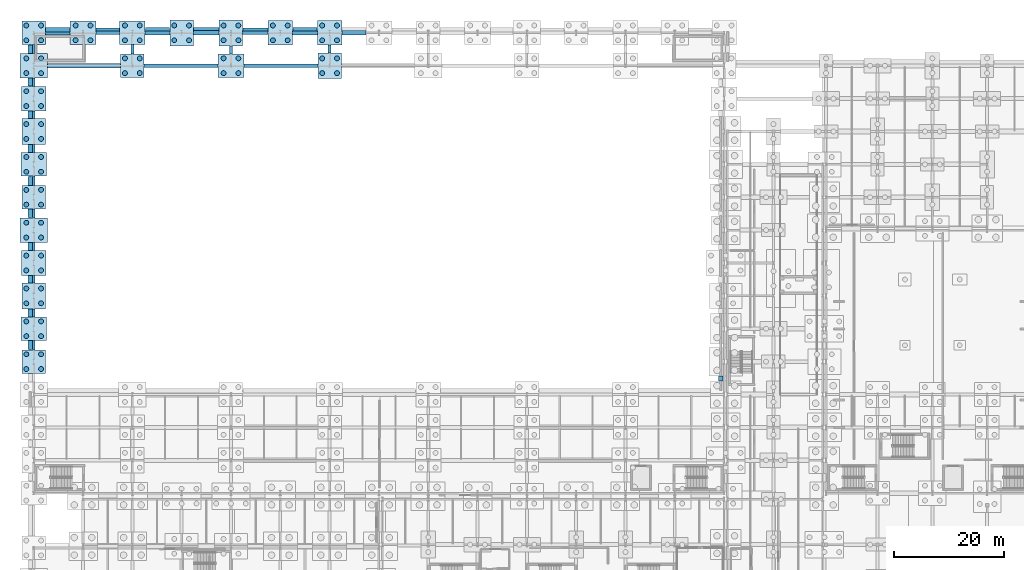
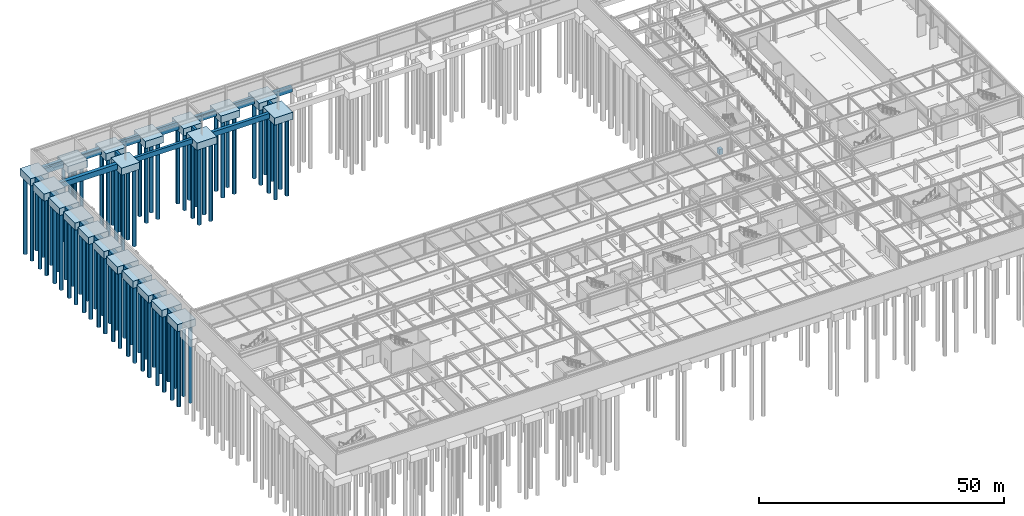
# One storey, part 6 of 65: 80 piles, 60 footings.
"""IFC4 building model written with IfcOpenShell, lengths in metres."""

from ifc_helpers import new_model, si_unit, direction, frame, origin, origin_2d, place, context, subcontext, project, spatial, rectangle, circle, extrude, material, material_profile, profile_set, type_object, element, save


model = new_model("IFC4")

# Units and contexts
model_context = context("Model", 3, precision=1e-05, world=origin(), true_north=direction((0.0, 1.0)))
body_context = subcontext(model_context, "Body", "Model", "MODEL_VIEW")
ifc_project = project(units=[si_unit("LENGTHUNIT", "METRE"), si_unit("AREAUNIT", "SQUARE_METRE"), si_unit("VOLUMEUNIT", "CUBIC_METRE"), si_unit("PLANEANGLEUNIT", "RADIAN"), si_unit("MASSUNIT", "GRAM", prefix="KILO")], contexts=[model_context])

# Site, building, storey
site_placement = place(None, origin())
site = spatial("IfcSite", under=ifc_project, at=site_placement, CompositionType="ELEMENT")
building_placement = place(site_placement, origin())
building = spatial("IfcBuilding", under=site, at=building_placement, Name="Kaldris Quays Convention Centre", CompositionType="ELEMENT")
storey_placement = place(building_placement, frame((0.0, 0.0, -5.39990234375)))
storey = spatial("IfcBuildingStorey", under=building, at=storey_placement, Name="B1", CompositionType="ELEMENT", Elevation=-5.39990234375)

# Piles
ifc_material = material(Name="Concrete C35/45", Category="concrete")
ifc_material_profile = material_profile(ifc_material, circle(Radius=0.449951171875, at=origin_2d()), Name="BORED PILE D900")
ifc_profile_set = profile_set([ifc_material_profile], Name="Concrete C35/45")
pile_type = type_object("IfcPileType", Name="BORED PILE P01", PredefinedType="BORED", material=ifc_profile_set)
for number, where, z_axis, x_axis, name in (
    (1, (18.64990234375, 78.64990234375, -1.7001953125), (0.0, 0.0, -1.0), (1.0, 0.0, 0.0), "Bored Pile P01 41"),
    (2, (21.35009765625, 78.64990234375, -1.7001953125), (0.0, 0.0, -1.0), (1.0, 0.0, 0.0), "Bored Pile P01 42"),
    (3, (18.64990234375, 81.35009765625, -1.7001953125), (0.0, 0.0, -1.0), (1.0, 0.0, 0.0), "Bored Pile P01 43"),
    (4, (21.35009765625, 81.35009765625, -1.7001953125), (0.0, 0.0, -1.0), (1.0, 0.0, 0.0), "Bored Pile P01 44"),
    (5, (18.64990234375, 84.64990234375, -1.7001953125), (0.0, 0.0, -1.0), (1.0, 0.0, 0.0), "Bored Pile P01 45"),
    (6, (21.35009765625, 84.64990234375, -1.7001953125), (0.0, 0.0, -1.0), (1.0, 0.0, 0.0), "Bored Pile P01 46"),
    (7, (18.64990234375, 87.35009765625, -1.7001953125), (0.0, 0.0, -1.0), (1.0, 0.0, 0.0), "Bored Pile P01 47"),
    (8, (21.35009765625, 87.35009765625, -1.7001953125), (0.0, 0.0, -1.0), (1.0, 0.0, 0.0), "Bored Pile P01 48"),
    (9, (18.64990234375, 90.64990234375, -1.7001953125), (0.0, 0.0, -1.0), (1.0, 0.0, 0.0), "Bored Pile P01 49"),
    (10, (21.35009765625, 90.64990234375, -1.7001953125), (0.0, 0.0, -1.0), (1.0, 0.0, 0.0), "Bored Pile P01 50"),
    (11, (18.64990234375, 93.35009765625, -1.7001953125), (0.0, 0.0, -1.0), (1.0, 0.0, 0.0), "Bored Pile P01 51"),
    (12, (21.35009765625, 93.35009765625, -1.7001953125), (0.0, 0.0, -1.0), (1.0, 0.0, 0.0), "Bored Pile P01 52"),
    (13, (18.64990234375, 96.64990234375, -1.7001953125), (0.0, 0.0, -1.0), (1.0, 0.0, 0.0), "Bored Pile P01 53"),
    (14, (21.35009765625, 96.64990234375, -1.7001953125), (0.0, 0.0, -1.0), (1.0, 0.0, 0.0), "Bored Pile P01 54"),
    (15, (18.64990234375, 99.35009765625, -1.7001953125), (0.0, 0.0, -1.0), (1.0, 0.0, 0.0), "Bored Pile P01 55"),
    (16, (21.35009765625, 99.35009765625, -1.7001953125), (0.0, 0.0, -1.0), (1.0, 0.0, 0.0), "Bored Pile P01 56"),
    (17, (18.64990234375, 102.64990234375, -1.7001953125), (0.0, 0.0, -1.0), (1.0, 0.0, 0.0), "Bored Pile P01 57"),
    (18, (21.35009765625, 102.64990234375, -1.7001953125), (0.0, 0.0, -1.0), (1.0, 0.0, 0.0), "Bored Pile P01 58"),
    (19, (18.64990234375, 105.35009765625, -1.7001953125), (0.0, 0.0, -1.0), (1.0, 0.0, 0.0), "Bored Pile P01 59"),
    (20, (21.35009765625, 105.35009765625, -1.7001953125), (0.0, 0.0, -1.0), (1.0, 0.0, 0.0), "Bored Pile P01 60"),
    (21, (18.64990234375, 108.64990234375, -1.7001953125), (0.0, 0.0, -1.0), (1.0, 0.0, 0.0), "Bored Pile P01 61"),
    (22, (21.35009765625, 108.64990234375, -1.7001953125), (0.0, 0.0, -1.0), (1.0, 0.0, 0.0), "Bored Pile P01 62"),
    (23, (18.64990234375, 111.35009765625, -1.7001953125), (0.0, 0.0, -1.0), (1.0, 0.0, 0.0), "Bored Pile P01 63"),
    (24, (21.35009765625, 111.35009765625, -1.7001953125), (0.0, 0.0, -1.0), (1.0, 0.0, 0.0), "Bored Pile P01 64"),
    (25, (18.64990234375, 114.64990234375, -1.7001953125), (0.0, 0.0, -1.0), (1.0, 0.0, 0.0), "Bored Pile P01 65"),
    (26, (21.35009765625, 114.64990234375, -1.7001953125), (0.0, 0.0, -1.0), (1.0, 0.0, 0.0), "Bored Pile P01 66"),
    (27, (18.64990234375, 117.35009765625, -1.7001953125), (0.0, 0.0, -1.0), (1.0, 0.0, 0.0), "Bored Pile P01 67"),
    (28, (21.35009765625, 117.35009765625, -1.7001953125), (0.0, 0.0, -1.0), (1.0, 0.0, 0.0), "Bored Pile P01 68"),
    (29, (18.64990234375, 120.64990234375, -1.7001953125), (0.0, 0.0, -1.0), (1.0, 0.0, 0.0), "Bored Pile P01 69"),
    (30, (21.35009765625, 120.64990234375, -1.7001953125), (0.0, 0.0, -1.0), (1.0, 0.0, 0.0), "Bored Pile P01 70"),
    (31, (18.64990234375, 123.35009765625, -1.7001953125), (0.0, 0.0, -1.0), (1.0, 0.0, 0.0), "Bored Pile P01 71"),
    (32, (21.35009765625, 123.35009765625, -1.7001953125), (0.0, 0.0, -1.0), (1.0, 0.0, 0.0), "Bored Pile P01 72"),
    (33, (18.64990234375, 126.64990234375, -1.7001953125), (0.0, 0.0, -1.0), (1.0, 0.0, 0.0), "Bored Pile P01 73"),
    (34, (21.35009765625, 126.64990234375, -1.7001953125), (0.0, 0.0, -1.0), (1.0, 0.0, 0.0), "Bored Pile P01 74"),
    (35, (18.64990234375, 129.35009765625, -1.7001953125), (0.0, 0.0, -1.0), (1.0, 0.0, 0.0), "Bored Pile P01 75"),
    (36, (21.35009765625, 129.35009765625, -1.7001953125), (0.0, 0.0, -1.0), (1.0, 0.0, 0.0), "Bored Pile P01 76"),
    (37, (18.64990234375, 132.64990234375, -1.7001953125), (0.0, 0.0, -1.0), (1.0, 0.0, 0.0), "Bored Pile P01 77"),
    (38, (21.35009765625, 132.64990234375, -1.7001953125), (0.0, 0.0, -1.0), (1.0, 0.0, 0.0), "Bored Pile P01 78"),
    (39, (18.64990234375, 135.35009765625, -1.7001953125), (0.0, 0.0, -1.0), (1.0, 0.0, 0.0), "Bored Pile P01 79"),
    (40, (21.35009765625, 135.35009765625, -1.7001953125), (0.0, 0.0, -1.0), (1.0, 0.0, 0.0), "Bored Pile P01 80"),
    (41, (18.64990234375, 138.64990234375, -1.7001953125), (0.0, 0.0, -1.0), (1.0, 0.0, 0.0), "Bored Pile P01 81"),
    (42, (21.35009765625, 138.64990234375, -1.7001953125), (0.0, 0.0, -1.0), (1.0, 0.0, 0.0), "Bored Pile P01 82"),
    (43, (18.64990234375, 141.35009765625, -1.7001953125), (0.0, 0.0, -1.0), (1.0, 0.0, 0.0), "Bored Pile P01 83"),
    (44, (21.35009765625, 141.35009765625, -1.7001953125), (0.0, 0.0, -1.0), (1.0, 0.0, 0.0), "Bored Pile P01 84"),
    (45, (27.64990234375, 138.64990234375, -1.7001953125), (0.0, 0.0, -1.0), (1.0, 0.0, 0.0), "Bored Pile P01 105"),
    (46, (30.35009765625, 138.64990234375, -1.7001953125), (0.0, 0.0, -1.0), (1.0, 0.0, 0.0), "Bored Pile P01 106"),
    (47, (27.64990234375, 141.35009765625, -1.7001953125), (0.0, 0.0, -1.0), (1.0, 0.0, 0.0), "Bored Pile P01 107"),
    (48, (30.35009765625, 141.35009765625, -1.7001953125), (0.0, 0.0, -1.0), (1.0, 0.0, 0.0), "Bored Pile P01 108"),
    (49, (36.64990234375, 132.64990234375, -1.7001953125), (0.0, 0.0, -1.0), (1.0, 0.0, 0.0), "Bored Pile P01 141"),
    (50, (39.35009765625, 132.64990234375, -1.7001953125), (0.0, 0.0, -1.0), (1.0, 0.0, 0.0), "Bored Pile P01 142"),
    (51, (36.64990234375, 135.35009765625, -1.7001953125), (0.0, 0.0, -1.0), (1.0, 0.0, 0.0), "Bored Pile P01 143"),
    (52, (39.35009765625, 135.35009765625, -1.7001953125), (0.0, 0.0, -1.0), (1.0, 0.0, 0.0), "Bored Pile P01 144"),
    (53, (36.64990234375, 138.64990234375, -1.7001953125), (0.0, 0.0, -1.0), (1.0, 0.0, 0.0), "Bored Pile P01 145"),
    (54, (39.35009765625, 138.64990234375, -1.7001953125), (0.0, 0.0, -1.0), (1.0, 0.0, 0.0), "Bored Pile P01 146"),
    (55, (36.64990234375, 141.35009765625, -1.7001953125), (0.0, 0.0, -1.0), (1.0, 0.0, 0.0), "Bored Pile P01 147"),
    (56, (39.35009765625, 141.35009765625, -1.7001953125), (0.0, 0.0, -1.0), (1.0, 0.0, 0.0), "Bored Pile P01 148"),
    (57, (45.64990234375, 138.64990234375, -1.7001953125), (0.0, 0.0, -1.0), (1.0, 0.0, 0.0), "Bored Pile P01 171"),
    (58, (48.35009765625, 138.64990234375, -1.7001953125), (0.0, 0.0, -1.0), (1.0, 0.0, 0.0), "Bored Pile P01 172"),
    (59, (45.64990234375, 141.35009765625, -1.7001953125), (0.0, 0.0, -1.0), (1.0, 0.0, 0.0), "Bored Pile P01 173"),
    (60, (48.35009765625, 141.35009765625, -1.7001953125), (0.0, 0.0, -1.0), (1.0, 0.0, 0.0), "Bored Pile P01 174"),
    (61, (54.64990234375, 132.64990234375, -1.7001953125), (0.0, 0.0, -1.0), (1.0, 0.0, 0.0), "Bored Pile P01 209"),
    (62, (57.35009765625, 132.64990234375, -1.7001953125), (0.0, 0.0, -1.0), (1.0, 0.0, 0.0), "Bored Pile P01 210"),
    (63, (54.64990234375, 135.35009765625, -1.7001953125), (0.0, 0.0, -1.0), (1.0, 0.0, 0.0), "Bored Pile P01 211"),
    (64, (57.35009765625, 135.35009765625, -1.7001953125), (0.0, 0.0, -1.0), (1.0, 0.0, 0.0), "Bored Pile P01 212"),
    (65, (54.64990234375, 138.64990234375, -1.7001953125), (0.0, 0.0, -1.0), (1.0, 0.0, 0.0), "Bored Pile P01 213"),
    (66, (57.35009765625, 138.64990234375, -1.7001953125), (0.0, 0.0, -1.0), (1.0, 0.0, 0.0), "Bored Pile P01 214"),
    (67, (54.64990234375, 141.35009765625, -1.7001953125), (0.0, 0.0, -1.0), (1.0, 0.0, 0.0), "Bored Pile P01 215"),
    (68, (57.35009765625, 141.35009765625, -1.7001953125), (0.0, 0.0, -1.0), (1.0, 0.0, 0.0), "Bored Pile P01 216"),
    (69, (63.64990234375, 138.64990234375, -1.7001953125), (0.0, 0.0, -1.0), (1.0, 0.0, 0.0), "Bored Pile P01 237"),
    (70, (66.35009765625, 138.64990234375, -1.7001953125), (0.0, 0.0, -1.0), (1.0, 0.0, 0.0), "Bored Pile P01 238"),
    (71, (63.64990234375, 141.35009765625, -1.7001953125), (0.0, 0.0, -1.0), (1.0, 0.0, 0.0), "Bored Pile P01 239"),
    (72, (66.35009765625, 141.35009765625, -1.7001953125), (0.0, 0.0, -1.0), (1.0, 0.0, 0.0), "Bored Pile P01 240"),
    (73, (72.64990234375, 132.64990234375, -1.7001953125), (0.0, 0.0, -1.0), (1.0, 0.0, 0.0), "Bored Pile P01 273"),
    (74, (75.35009765625, 132.64990234375, -1.7001953125), (0.0, 0.0, -1.0), (1.0, 0.0, 0.0), "Bored Pile P01 274"),
    (75, (72.64990234375, 135.35009765625, -1.7001953125), (0.0, 0.0, -1.0), (1.0, 0.0, 0.0), "Bored Pile P01 275"),
    (76, (75.35009765625, 135.35009765625, -1.7001953125), (0.0, 0.0, -1.0), (1.0, 0.0, 0.0), "Bored Pile P01 276"),
    (77, (72.64990234375, 138.64990234375, -1.7001953125), (0.0, 0.0, -1.0), (1.0, 0.0, 0.0), "Bored Pile P01 277"),
    (78, (75.35009765625, 138.64990234375, -1.7001953125), (0.0, 0.0, -1.0), (1.0, 0.0, 0.0), "Bored Pile P01 278"),
    (79, (72.64990234375, 141.35009765625, -1.7001953125), (0.0, 0.0, -1.0), (1.0, 0.0, 0.0), "Bored Pile P01 279"),
    (80, (75.35009765625, 141.35009765625, -1.7001953125), (0.0, 0.0, -1.0), (1.0, 0.0, 0.0), "Bored Pile P01 280"),
):
    element("IfcPile", number, at=place(storey_placement, frame(where, z_axis=z_axis, x_axis=x_axis)), inside=storey, type_object=pile_type, Name=name, PredefinedType="BORED", context=body_context, shape_type="SweptSolid", body=[
        extrude(circle(Radius=0.449951171875, at=origin_2d()), origin(), (0.0, 0.0, 1.0), 19.300048828125),
    ])

# Footings
footing_type_1 = type_object("IfcFootingType", Name="CONCRETE FOOTING PC04", PredefinedType="PILE_CAP", material=ifc_material)
for number, where, z_axis, x_axis, name in (
    (81, (20.0, 80.0, -1.80029296875), (0.0, 0.0, 1.0), (1.0, 0.0, 0.0), "Pile Cap CAP-011 (PC04)"),
    (82, (20.0, 110.0, -1.80029296875), (0.0, 0.0, 1.0), (1.0, 0.0, 0.0), "Pile Cap CAP-016 (PC04)"),
    (83, (20.0, 140.0, -1.80029296875), (0.0, 0.0, 1.0), (1.0, 0.0, 0.0), "Pile Cap CAP-021 (PC04)"),
    (84, (38.0, 134.0, -1.80029296875), (0.0, 0.0, 1.0), (1.0, 0.0, 0.0), "Pile Cap CAP-036 (PC04)"),
):
    element("IfcFooting", number, at=place(storey_placement, frame(where, z_axis=z_axis, x_axis=x_axis)), inside=storey, type_object=footing_type_1, Name=name, PredefinedType="PILE_CAP", context=body_context, shape_type="SweptSolid", body=[
        extrude(rectangle(XDim=4.300048828125, YDim=4.300048828125, at=origin_2d()), origin(), (0.0, 0.0, 1.0), 1.800048828125),
    ])
footing_type_2 = type_object("IfcFootingType", Name="CONCRETE FOOTING PC07", PredefinedType="PILE_CAP", material=ifc_material)
for number, where, z_axis, x_axis, name in (
    (85, (20.0, 86.0, -1.80029296875), (0.0, 0.0, 1.0), (1.0, 0.0, 0.0), "Pile Cap CAP-012 (PC07)"),
    (86, (20.0, 116.0, -1.80029296875), (0.0, 0.0, 1.0), (1.0, 0.0, 0.0), "Pile Cap CAP-017 (PC07)"),
    (87, (29.0, 140.0, -1.80029296875), (0.0, 0.0, 1.0), (1.0, 0.0, 0.0), "Pile Cap CAP-027 (PC07)"),
    (88, (38.0, 140.0, -1.80029296875), (0.0, 0.0, 1.0), (1.0, 0.0, 0.0), "Pile Cap CAP-037 (PC07)"),
    (89, (56.0, 134.0, -1.80029296875), (0.0, 0.0, 1.0), (1.0, 0.0, 0.0), "Pile Cap CAP-052 (PC07)"),
):
    element("IfcFooting", number, at=place(storey_placement, frame(where, z_axis=z_axis, x_axis=x_axis)), inside=storey, type_object=footing_type_2, Name=name, PredefinedType="PILE_CAP", context=body_context, shape_type="SweptSolid", body=[
        extrude(rectangle(XDim=4.699951171875, YDim=4.300048828125, at=origin_2d()), origin(), (0.0, 0.0, 1.0), 1.800048828125),
    ])
footing_type_3 = type_object("IfcFootingType", Name="CONCRETE FOOTING PC08", PredefinedType="PILE_CAP", material=ifc_material)
for number, where, z_axis, x_axis, name in (
    (90, (20.0, 92.0, -1.80029296875), (0.0, 0.0, 1.0), (1.0, 0.0, 0.0), "Pile Cap CAP-013 (PC08)"),
    (91, (20.0, 122.0, -1.80029296875), (0.0, 0.0, 1.0), (1.0, 0.0, 0.0), "Pile Cap CAP-018 (PC08)"),
    (92, (47.0, 140.0, -1.80029296875), (0.0, 0.0, 1.0), (1.0, 0.0, 0.0), "Pile Cap CAP-043 (PC08)"),
    (93, (56.0, 140.0, -1.80029296875), (0.0, 0.0, 1.0), (1.0, 0.0, 0.0), "Pile Cap CAP-053 (PC08)"),
    (94, (74.0, 134.0, -1.80029296875), (0.0, 0.0, 1.0), (1.0, 0.0, 0.0), "Pile Cap CAP-068 (PC08)"),
):
    element("IfcFooting", number, at=place(storey_placement, frame(where, z_axis=z_axis, x_axis=x_axis)), inside=storey, type_object=footing_type_3, Name=name, PredefinedType="PILE_CAP", context=body_context, shape_type="SweptSolid", body=[
        extrude(rectangle(XDim=4.300048828125, YDim=4.699951171875, at=origin_2d()), origin(), (0.0, 0.0, 1.0), 1.800048828125),
    ])
footing_type_4 = type_object("IfcFootingType", Name="CONCRETE FOOTING PC13", PredefinedType="PILE_CAP", material=ifc_material)
for number, where, z_axis, x_axis, name in (
    (95, (20.0, 98.0, -1.80029296875), (0.0, 0.0, 1.0), (1.0, 0.0, 0.0), "Pile Cap CAP-014 (PC13)"),
    (96, (20.0, 128.0, -1.80029296875), (0.0, 0.0, 1.0), (1.0, 0.0, 0.0), "Pile Cap CAP-019 (PC13)"),
    (97, (65.0, 140.0, -1.80029296875), (0.0, 0.0, 1.0), (1.0, 0.0, 0.0), "Pile Cap CAP-059 (PC13)"),
    (98, (74.0, 140.0, -1.80029296875), (0.0, 0.0, 1.0), (1.0, 0.0, 0.0), "Pile Cap CAP-069 (PC13)"),
):
    element("IfcFooting", number, at=place(storey_placement, frame(where, z_axis=z_axis, x_axis=x_axis)), inside=storey, type_object=footing_type_4, Name=name, PredefinedType="PILE_CAP", context=body_context, shape_type="SweptSolid", body=[
        extrude(rectangle(XDim=4.5, YDim=4.5, at=origin_2d()), origin(), (0.0, 0.0, 1.0), 1.800048828125),
    ])
footing_type_5 = type_object("IfcFootingType", Name="CONCRETE FOOTING PC14", PredefinedType="PILE_CAP", material=ifc_material)
for number, where, z_axis, x_axis, name in (
    (99, (20.0, 104.0, -1.80029296875), (0.0, 0.0, 1.0), (1.0, 0.0, 0.0), "Pile Cap CAP-015 (PC14)"),
    (100, (20.0, 134.0, -1.80029296875), (0.0, 0.0, 1.0), (1.0, 0.0, 0.0), "Pile Cap CAP-020 (PC14)"),
):
    element("IfcFooting", number, at=place(storey_placement, frame(where, z_axis=z_axis, x_axis=x_axis)), inside=storey, type_object=footing_type_5, Name=name, PredefinedType="PILE_CAP", context=body_context, shape_type="SweptSolid", body=[
        extrude(rectangle(XDim=5.0, YDim=4.5, at=origin_2d()), origin(), (0.0, 0.0, 1.0), 1.800048828125),
    ])
footing_type_6 = type_object("IfcFootingType", Name="GROUND TIE BEAM GB01", PredefinedType="FOOTING_BEAM", material=ifc_material)
footing_1_placement = place(storey_placement, frame((46.89990234375, 134.0, -1.2001953125), z_axis=(0.0, 0.0, 1.0), x_axis=(1.0, 0.0, 0.0)))
element("IfcFooting", 101, at=footing_1_placement, inside=storey, type_object=footing_type_6, Name="Ground Tie Beam GB01 150", PredefinedType="FOOTING_BEAM", context=body_context, shape_type="SweptSolid", body=[
    extrude(rectangle(XDim=13.5, YDim=0.60009765625, at=origin_2d()), origin(), (0.0, 0.0, 1.0), 1.199951171875),
])
footing_2_placement = place(storey_placement, frame((33.5, 140.0, -1.2001953125), z_axis=(0.0, 0.0, 1.0), x_axis=(1.0, 0.0, 0.0)))
element("IfcFooting", 102, at=footing_2_placement, inside=storey, type_object=footing_type_6, Name="Ground Tie Beam GB01 162", PredefinedType="FOOTING_BEAM", context=body_context, shape_type="SweptSolid", body=[
    extrude(rectangle(XDim=4.300048828125, YDim=0.60009765625, at=origin_2d()), origin(), (0.0, 0.0, 1.0), 1.199951171875),
])
footing_3_placement = place(storey_placement, frame((60.449951171875, 140.0, -1.2001953125), z_axis=(0.0, 0.0, 1.0), x_axis=(1.0, 0.0, 0.0)))
element("IfcFooting", 103, at=footing_3_placement, inside=storey, type_object=footing_type_6, Name="Ground Tie Beam GB01 165", PredefinedType="FOOTING_BEAM", context=body_context, shape_type="SweptSolid", body=[
    extrude(rectangle(XDim=4.60009765625, YDim=0.60009765625, at=origin_2d()), origin(), (0.0, 0.0, 1.0), 1.199951171875),
])
footing_type_7 = type_object("IfcFootingType", Name="GROUND TIE BEAM GB02", PredefinedType="FOOTING_BEAM", material=ifc_material)
footing_4_placement = place(storey_placement, frame((65.10009765625, 134.0, -1.25), z_axis=(0.0, 0.0, 1.0), x_axis=(1.0, 0.0, 0.0)))
element("IfcFooting", 104, at=footing_4_placement, inside=storey, type_object=footing_type_7, Name="Ground Tie Beam GB02 151", PredefinedType="FOOTING_BEAM", context=body_context, shape_type="SweptSolid", body=[
    extrude(rectangle(XDim=13.5, YDim=0.719970703125, at=origin_2d()), origin(), (0.0, 0.0, 1.0), 1.25),
])
for number, where, z_axis, x_axis, name in (
    (105, (42.60009765625, 140.0, -1.25), (0.0, 0.0, 1.0), (1.0, 0.0, 0.0), "Ground Tie Beam GB02 163"),
    (106, (69.5, 140.0, -1.25), (0.0, 0.0, 1.0), (1.0, 0.0, 0.0), "Ground Tie Beam GB02 166"),
):
    element("IfcFooting", number, at=place(storey_placement, frame(where, z_axis=z_axis, x_axis=x_axis)), inside=storey, type_object=footing_type_7, Name=name, PredefinedType="FOOTING_BEAM", context=body_context, shape_type="SweptSolid", body=[
        extrude(rectangle(XDim=4.5, YDim=0.719970703125, at=origin_2d()), origin(), (0.0, 0.0, 1.0), 1.25),
    ])
footing_type_8 = type_object("IfcFootingType", Name="GROUND TIE BEAM GB03", PredefinedType="FOOTING_BEAM", material=ifc_material)
footing_5_placement = place(storey_placement, frame((20.0, 83.0, -1.05029296875), z_axis=(0.0, 0.0, 1.0), x_axis=(1.0, 0.0, 0.0)))
element("IfcFooting", 107, at=footing_5_placement, inside=storey, type_object=footing_type_8, Name="Ground Tie Beam GB03 185", PredefinedType="FOOTING_BEAM", context=body_context, shape_type="SweptSolid", body=[
    extrude(rectangle(XDim=0.52001953125, YDim=1.699951171875, at=origin_2d()), origin(), (0.0, 0.0, 1.0), 1.050048828125),
])
footing_6_placement = place(storey_placement, frame((20.0, 88.89990234375, -1.05029296875), z_axis=(0.0, 0.0, 1.0), x_axis=(1.0, 0.0, 0.0)))
element("IfcFooting", 108, at=footing_6_placement, inside=storey, type_object=footing_type_8, Name="Ground Tie Beam GB03 186", PredefinedType="FOOTING_BEAM", context=body_context, shape_type="SweptSolid", body=[
    extrude(rectangle(XDim=0.52001953125, YDim=1.5, at=origin_2d()), origin(), (0.0, 0.0, 1.0), 1.050048828125),
])
footing_7_placement = place(storey_placement, frame((20.0, 95.050048828125, -1.05029296875), z_axis=(0.0, 0.0, 1.0), x_axis=(1.0, 0.0, 0.0)))
element("IfcFooting", 109, at=footing_7_placement, inside=storey, type_object=footing_type_8, Name="Ground Tie Beam GB03 187", PredefinedType="FOOTING_BEAM", context=body_context, shape_type="SweptSolid", body=[
    extrude(rectangle(XDim=0.52001953125, YDim=1.39990234375, at=origin_2d()), origin(), (0.0, 0.0, 1.0), 1.050048828125),
])
footing_8_placement = place(storey_placement, frame((20.0, 101.0, -1.05029296875), z_axis=(0.0, 0.0, 1.0), x_axis=(1.0, 0.0, 0.0)))
element("IfcFooting", 110, at=footing_8_placement, inside=storey, type_object=footing_type_8, Name="Ground Tie Beam GB03 188", PredefinedType="FOOTING_BEAM", context=body_context, shape_type="SweptSolid", body=[
    extrude(rectangle(XDim=0.52001953125, YDim=1.5, at=origin_2d()), origin(), (0.0, 0.0, 1.0), 1.050048828125),
])
footing_9_placement = place(storey_placement, frame((20.0, 107.050048828125, -1.05029296875), z_axis=(0.0, 0.0, 1.0), x_axis=(1.0, 0.0, 0.0)))
element("IfcFooting", 111, at=footing_9_placement, inside=storey, type_object=footing_type_8, Name="Ground Tie Beam GB03 189", PredefinedType="FOOTING_BEAM", context=body_context, shape_type="SweptSolid", body=[
    extrude(rectangle(XDim=0.52001953125, YDim=1.60009765625, at=origin_2d()), origin(), (0.0, 0.0, 1.0), 1.050048828125),
])
footing_10_placement = place(storey_placement, frame((20.0, 113.0, -1.05029296875), z_axis=(0.0, 0.0, 1.0), x_axis=(1.0, 0.0, 0.0)))
element("IfcFooting", 112, at=footing_10_placement, inside=storey, type_object=footing_type_8, Name="Ground Tie Beam GB03 190", PredefinedType="FOOTING_BEAM", context=body_context, shape_type="SweptSolid", body=[
    extrude(rectangle(XDim=0.52001953125, YDim=1.699951171875, at=origin_2d()), origin(), (0.0, 0.0, 1.0), 1.050048828125),
])
footing_11_placement = place(storey_placement, frame((20.0, 118.89990234375, -1.05029296875), z_axis=(0.0, 0.0, 1.0), x_axis=(1.0, 0.0, 0.0)))
element("IfcFooting", 113, at=footing_11_placement, inside=storey, type_object=footing_type_8, Name="Ground Tie Beam GB03 191", PredefinedType="FOOTING_BEAM", context=body_context, shape_type="SweptSolid", body=[
    extrude(rectangle(XDim=0.52001953125, YDim=1.5, at=origin_2d()), origin(), (0.0, 0.0, 1.0), 1.050048828125),
])
footing_12_placement = place(storey_placement, frame((20.0, 125.050048828125, -1.05029296875), z_axis=(0.0, 0.0, 1.0), x_axis=(1.0, 0.0, 0.0)))
element("IfcFooting", 114, at=footing_12_placement, inside=storey, type_object=footing_type_8, Name="Ground Tie Beam GB03 192", PredefinedType="FOOTING_BEAM", context=body_context, shape_type="SweptSolid", body=[
    extrude(rectangle(XDim=0.52001953125, YDim=1.39990234375, at=origin_2d()), origin(), (0.0, 0.0, 1.0), 1.050048828125),
])
footing_13_placement = place(storey_placement, frame((20.0, 131.0, -1.05029296875), z_axis=(0.0, 0.0, 1.0), x_axis=(1.0, 0.0, 0.0)))
element("IfcFooting", 115, at=footing_13_placement, inside=storey, type_object=footing_type_8, Name="Ground Tie Beam GB03 193", PredefinedType="FOOTING_BEAM", context=body_context, shape_type="SweptSolid", body=[
    extrude(rectangle(XDim=0.52001953125, YDim=1.5, at=origin_2d()), origin(), (0.0, 0.0, 1.0), 1.050048828125),
])
footing_14_placement = place(storey_placement, frame((20.0, 137.050048828125, -1.05029296875), z_axis=(0.0, 0.0, 1.0), x_axis=(1.0, 0.0, 0.0)))
element("IfcFooting", 116, at=footing_14_placement, inside=storey, type_object=footing_type_8, Name="Ground Tie Beam GB03 194", PredefinedType="FOOTING_BEAM", context=body_context, shape_type="SweptSolid", body=[
    extrude(rectangle(XDim=0.52001953125, YDim=1.60009765625, at=origin_2d()), origin(), (0.0, 0.0, 1.0), 1.050048828125),
])
footing_15_placement = place(storey_placement, frame((38.0, 137.0, -1.05029296875), z_axis=(0.0, 0.0, 1.0), x_axis=(1.0, 0.0, 0.0)))
element("IfcFooting", 117, at=footing_15_placement, inside=storey, type_object=footing_type_8, Name="Ground Tie Beam GB03 206", PredefinedType="FOOTING_BEAM", context=body_context, shape_type="SweptSolid", body=[
    extrude(rectangle(XDim=0.52001953125, YDim=1.699951171875, at=origin_2d()), origin(), (0.0, 0.0, 1.0), 1.050048828125),
])
footing_16_placement = place(storey_placement, frame((56.0, 136.89990234375, -1.05029296875), z_axis=(0.0, 0.0, 1.0), x_axis=(1.0, 0.0, 0.0)))
element("IfcFooting", 118, at=footing_16_placement, inside=storey, type_object=footing_type_8, Name="Ground Tie Beam GB03 218", PredefinedType="FOOTING_BEAM", context=body_context, shape_type="SweptSolid", body=[
    extrude(rectangle(XDim=0.52001953125, YDim=1.5, at=origin_2d()), origin(), (0.0, 0.0, 1.0), 1.050048828125),
])
footing_17_placement = place(storey_placement, frame((74.0, 137.050048828125, -1.05029296875), z_axis=(0.0, 0.0, 1.0), x_axis=(1.0, 0.0, 0.0)))
element("IfcFooting", 119, at=footing_17_placement, inside=storey, type_object=footing_type_8, Name="Ground Tie Beam GB03 230", PredefinedType="FOOTING_BEAM", context=body_context, shape_type="SweptSolid", body=[
    extrude(rectangle(XDim=0.52001953125, YDim=1.39990234375, at=origin_2d()), origin(), (0.0, 0.0, 1.0), 1.050048828125),
])
footing_type_9 = type_object("IfcFootingType", Name="GROUND TIE BEAM GB04", PredefinedType="FOOTING_BEAM", material=ifc_material)
footing_18_placement = place(storey_placement, frame((29.175048828125, 134.0, -1.35009765625), z_axis=(0.0, 0.0, 1.0), x_axis=(1.0, 0.0, 0.0)))
element("IfcFooting", 120, at=footing_18_placement, inside=storey, type_object=footing_type_9, Name="Ground Tie Beam GB04 149", PredefinedType="FOOTING_BEAM", context=body_context, shape_type="SweptSolid", body=[
    extrude(rectangle(XDim=13.35009765625, YDim=0.840087890625, at=origin_2d()), origin(), (0.0, 0.0, 1.0), 1.35009765625),
])
footing_19_placement = place(storey_placement, frame((24.39990234375, 140.0, -1.35009765625), z_axis=(0.0, 0.0, 1.0), x_axis=(1.0, 0.0, 0.0)))
element("IfcFooting", 121, at=footing_19_placement, inside=storey, type_object=footing_type_9, Name="Ground Tie Beam GB04 161", PredefinedType="FOOTING_BEAM", context=body_context, shape_type="SweptSolid", body=[
    extrude(rectangle(XDim=4.5, YDim=0.840087890625, at=origin_2d()), origin(), (0.0, 0.0, 1.0), 1.35009765625),
])
footing_20_placement = place(storey_placement, frame((51.5, 140.0, -1.35009765625), z_axis=(0.0, 0.0, 1.0), x_axis=(1.0, 0.0, 0.0)))
element("IfcFooting", 122, at=footing_20_placement, inside=storey, type_object=footing_type_9, Name="Ground Tie Beam GB04 164", PredefinedType="FOOTING_BEAM", context=body_context, shape_type="SweptSolid", body=[
    extrude(rectangle(XDim=4.699951171875, YDim=0.840087890625, at=origin_2d()), origin(), (0.0, 0.0, 1.0), 1.35009765625),
])
footing_21_placement = place(storey_placement, frame((78.449951171875, 140.0, -1.35009765625), z_axis=(0.0, 0.0, 1.0), x_axis=(1.0, 0.0, 0.0)))
element("IfcFooting", 123, at=footing_21_placement, inside=storey, type_object=footing_type_9, Name="Ground Tie Beam GB04 167", PredefinedType="FOOTING_BEAM", context=body_context, shape_type="SweptSolid", body=[
    extrude(rectangle(XDim=4.39990234375, YDim=0.840087890625, at=origin_2d()), origin(), (0.0, 0.0, 1.0), 1.35009765625),
])
footing_22_placement = place(storey_placement, frame((145.35009765625, 76.925048828125, -1.35009765625), z_axis=(0.0, 0.0, 1.0), x_axis=(1.0, 0.0, 0.0)))
element("IfcFooting", 124, at=footing_22_placement, inside=storey, type_object=footing_type_9, Name="Perimeter Retaining Wall Strip Footing GB04 17", PredefinedType="FOOTING_BEAM", context=body_context, shape_type="SweptSolid", body=[
    extrude(rectangle(XDim=0.840087890625, YDim=0.889892578125, at=origin_2d()), origin(), (0.0, 0.0, 1.0), 1.35009765625),
])
footing_23_placement = place(storey_placement, frame((69.5, 140.52001953125, -1.35009765625), z_axis=(0.0, 0.0, 1.0), x_axis=(1.0, 0.0, 0.0)))
element("IfcFooting", 125, at=footing_23_placement, inside=storey, type_object=footing_type_9, Name="Perimeter Retaining Wall Strip Footing GB04 70", PredefinedType="FOOTING_BEAM", context=body_context, shape_type="SweptSolid", body=[
    extrude(rectangle(XDim=4.43994140625, YDim=0.840087890625, at=origin_2d()), origin(), (0.0, 0.0, 1.0), 1.35009765625),
])
footing_24_placement = place(storey_placement, frame((60.449951171875, 140.489990234375, -1.35009765625), z_axis=(0.0, 0.0, 1.0), x_axis=(1.0, 0.0, 0.0)))
element("IfcFooting", 126, at=footing_24_placement, inside=storey, type_object=footing_type_9, Name="Perimeter Retaining Wall Strip Footing GB04 71", PredefinedType="FOOTING_BEAM", context=body_context, shape_type="SweptSolid", body=[
    extrude(rectangle(XDim=4.5400390625, YDim=0.840087890625, at=origin_2d()), origin(), (0.0, 0.0, 1.0), 1.35009765625),
])
footing_25_placement = place(storey_placement, frame((51.5, 140.550048828125, -1.35009765625), z_axis=(0.0, 0.0, 1.0), x_axis=(1.0, 0.0, 0.0)))
element("IfcFooting", 127, at=footing_25_placement, inside=storey, type_object=footing_type_9, Name="Perimeter Retaining Wall Strip Footing GB04 72", PredefinedType="FOOTING_BEAM", context=body_context, shape_type="SweptSolid", body=[
    extrude(rectangle(XDim=4.639892578125, YDim=0.840087890625, at=origin_2d()), origin(), (0.0, 0.0, 1.0), 1.35009765625),
])
footing_26_placement = place(storey_placement, frame((42.60009765625, 140.52001953125, -1.35009765625), z_axis=(0.0, 0.0, 1.0), x_axis=(1.0, 0.0, 0.0)))
element("IfcFooting", 128, at=footing_26_placement, inside=storey, type_object=footing_type_9, Name="Perimeter Retaining Wall Strip Footing GB04 73", PredefinedType="FOOTING_BEAM", context=body_context, shape_type="SweptSolid", body=[
    extrude(rectangle(XDim=4.43994140625, YDim=0.840087890625, at=origin_2d()), origin(), (0.0, 0.0, 1.0), 1.35009765625),
])
footing_27_placement = place(storey_placement, frame((33.5, 140.489990234375, -1.35009765625), z_axis=(0.0, 0.0, 1.0), x_axis=(1.0, 0.0, 0.0)))
element("IfcFooting", 129, at=footing_27_placement, inside=storey, type_object=footing_type_9, Name="Perimeter Retaining Wall Strip Footing GB04 74", PredefinedType="FOOTING_BEAM", context=body_context, shape_type="SweptSolid", body=[
    extrude(rectangle(XDim=4.239990234375, YDim=0.840087890625, at=origin_2d()), origin(), (0.0, 0.0, 1.0), 1.35009765625),
])
footing_28_placement = place(storey_placement, frame((24.39990234375, 140.550048828125, -1.35009765625), z_axis=(0.0, 0.0, 1.0), x_axis=(1.0, 0.0, 0.0)))
element("IfcFooting", 130, at=footing_28_placement, inside=storey, type_object=footing_type_9, Name="Perimeter Retaining Wall Strip Footing GB04 75", PredefinedType="FOOTING_BEAM", context=body_context, shape_type="SweptSolid", body=[
    extrude(rectangle(XDim=4.43994140625, YDim=0.840087890625, at=origin_2d()), origin(), (0.0, 0.0, 1.0), 1.35009765625),
])
footing_29_placement = place(storey_placement, frame((19.35009765625, 83.0, -1.35009765625), z_axis=(0.0, 0.0, 1.0), x_axis=(1.0, 0.0, 0.0)))
element("IfcFooting", 131, at=footing_29_placement, inside=storey, type_object=footing_type_9, Name="Perimeter Retaining Wall Strip Footing GB04 77", PredefinedType="FOOTING_BEAM", context=body_context, shape_type="SweptSolid", body=[
    extrude(rectangle(XDim=0.840087890625, YDim=1.639892578125, at=origin_2d()), origin(), (0.0, 0.0, 1.0), 1.35009765625),
])
footing_30_placement = place(storey_placement, frame((19.35009765625, 88.89990234375, -1.35009765625), z_axis=(0.0, 0.0, 1.0), x_axis=(1.0, 0.0, 0.0)))
element("IfcFooting", 132, at=footing_30_placement, inside=storey, type_object=footing_type_9, Name="Perimeter Retaining Wall Strip Footing GB04 78", PredefinedType="FOOTING_BEAM", context=body_context, shape_type="SweptSolid", body=[
    extrude(rectangle(XDim=0.840087890625, YDim=1.43994140625, at=origin_2d()), origin(), (0.0, 0.0, 1.0), 1.35009765625),
])
footing_31_placement = place(storey_placement, frame((19.35009765625, 95.050048828125, -1.35009765625), z_axis=(0.0, 0.0, 1.0), x_axis=(1.0, 0.0, 0.0)))
element("IfcFooting", 133, at=footing_31_placement, inside=storey, type_object=footing_type_9, Name="Perimeter Retaining Wall Strip Footing GB04 79", PredefinedType="FOOTING_BEAM", context=body_context, shape_type="SweptSolid", body=[
    extrude(rectangle(XDim=0.840087890625, YDim=1.340087890625, at=origin_2d()), origin(), (0.0, 0.0, 1.0), 1.35009765625),
])
footing_32_placement = place(storey_placement, frame((19.35009765625, 101.0, -1.35009765625), z_axis=(0.0, 0.0, 1.0), x_axis=(1.0, 0.0, 0.0)))
element("IfcFooting", 134, at=footing_32_placement, inside=storey, type_object=footing_type_9, Name="Perimeter Retaining Wall Strip Footing GB04 80", PredefinedType="FOOTING_BEAM", context=body_context, shape_type="SweptSolid", body=[
    extrude(rectangle(XDim=0.840087890625, YDim=1.43994140625, at=origin_2d()), origin(), (0.0, 0.0, 1.0), 1.35009765625),
])
footing_33_placement = place(storey_placement, frame((19.35009765625, 107.050048828125, -1.35009765625), z_axis=(0.0, 0.0, 1.0), x_axis=(1.0, 0.0, 0.0)))
element("IfcFooting", 135, at=footing_33_placement, inside=storey, type_object=footing_type_9, Name="Perimeter Retaining Wall Strip Footing GB04 81", PredefinedType="FOOTING_BEAM", context=body_context, shape_type="SweptSolid", body=[
    extrude(rectangle(XDim=0.840087890625, YDim=1.5400390625, at=origin_2d()), origin(), (0.0, 0.0, 1.0), 1.35009765625),
])
footing_34_placement = place(storey_placement, frame((19.35009765625, 113.0, -1.35009765625), z_axis=(0.0, 0.0, 1.0), x_axis=(1.0, 0.0, 0.0)))
element("IfcFooting", 136, at=footing_34_placement, inside=storey, type_object=footing_type_9, Name="Perimeter Retaining Wall Strip Footing GB04 82", PredefinedType="FOOTING_BEAM", context=body_context, shape_type="SweptSolid", body=[
    extrude(rectangle(XDim=0.840087890625, YDim=1.639892578125, at=origin_2d()), origin(), (0.0, 0.0, 1.0), 1.35009765625),
])
footing_35_placement = place(storey_placement, frame((19.35009765625, 118.89990234375, -1.35009765625), z_axis=(0.0, 0.0, 1.0), x_axis=(1.0, 0.0, 0.0)))
element("IfcFooting", 137, at=footing_35_placement, inside=storey, type_object=footing_type_9, Name="Perimeter Retaining Wall Strip Footing GB04 83", PredefinedType="FOOTING_BEAM", context=body_context, shape_type="SweptSolid", body=[
    extrude(rectangle(XDim=0.840087890625, YDim=1.43994140625, at=origin_2d()), origin(), (0.0, 0.0, 1.0), 1.35009765625),
])
footing_36_placement = place(storey_placement, frame((19.35009765625, 125.050048828125, -1.35009765625), z_axis=(0.0, 0.0, 1.0), x_axis=(1.0, 0.0, 0.0)))
element("IfcFooting", 138, at=footing_36_placement, inside=storey, type_object=footing_type_9, Name="Perimeter Retaining Wall Strip Footing GB04 84", PredefinedType="FOOTING_BEAM", context=body_context, shape_type="SweptSolid", body=[
    extrude(rectangle(XDim=0.840087890625, YDim=1.340087890625, at=origin_2d()), origin(), (0.0, 0.0, 1.0), 1.35009765625),
])
footing_37_placement = place(storey_placement, frame((19.35009765625, 131.0, -1.35009765625), z_axis=(0.0, 0.0, 1.0), x_axis=(1.0, 0.0, 0.0)))
element("IfcFooting", 139, at=footing_37_placement, inside=storey, type_object=footing_type_9, Name="Perimeter Retaining Wall Strip Footing GB04 85", PredefinedType="FOOTING_BEAM", context=body_context, shape_type="SweptSolid", body=[
    extrude(rectangle(XDim=0.840087890625, YDim=1.43994140625, at=origin_2d()), origin(), (0.0, 0.0, 1.0), 1.35009765625),
])
footing_38_placement = place(storey_placement, frame((19.35009765625, 137.050048828125, -1.35009765625), z_axis=(0.0, 0.0, 1.0), x_axis=(1.0, 0.0, 0.0)))
element("IfcFooting", 140, at=footing_38_placement, inside=storey, type_object=footing_type_9, Name="Perimeter Retaining Wall Strip Footing GB04 86", PredefinedType="FOOTING_BEAM", context=body_context, shape_type="SweptSolid", body=[
    extrude(rectangle(XDim=0.840087890625, YDim=1.5400390625, at=origin_2d()), origin(), (0.0, 0.0, 1.0), 1.35009765625),
])

save(model, "model.ifc")
